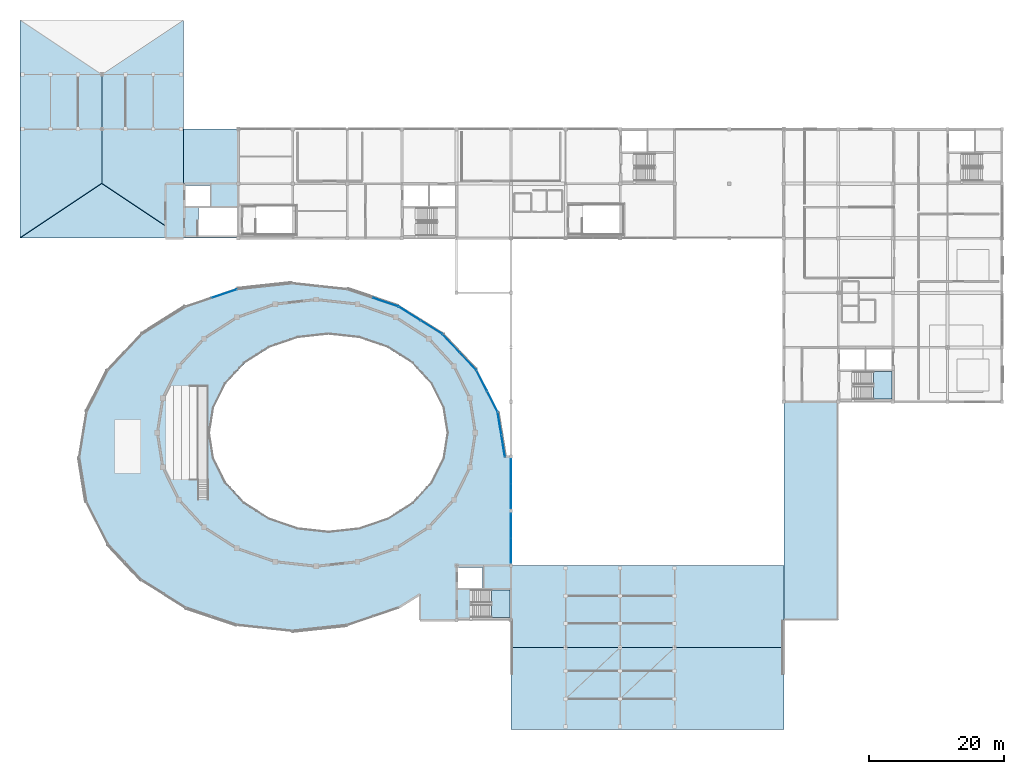
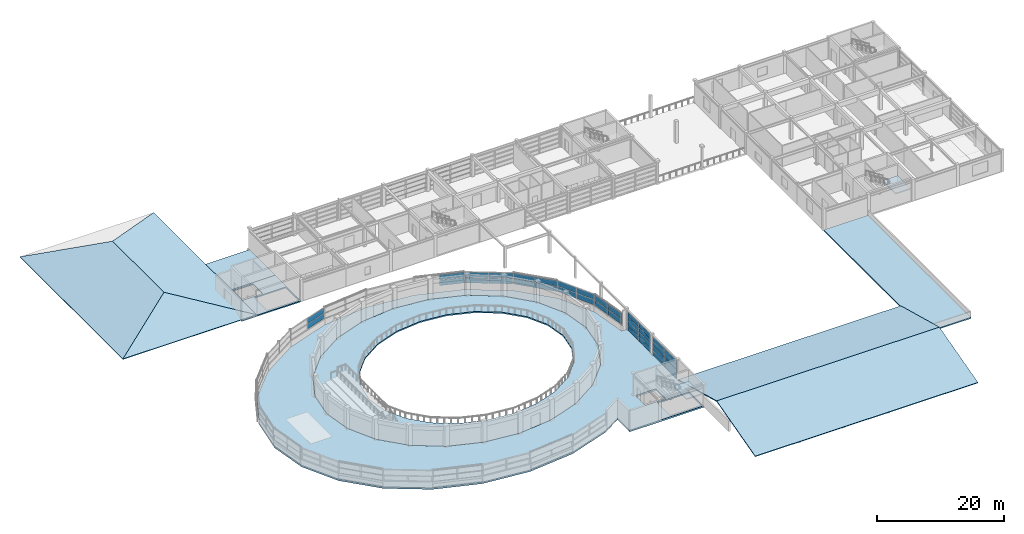
# One storey, part 36 of 54: 36 plates, 12 slabs, 10 elements without a shape of their own.
"""IFC4 building model written with IfcOpenShell, lengths in metres."""

from ifc_helpers import new_model, si_unit, direction, frame, origin, origin_2d, place, context, subcontext, project, spatial, polyline, rectangle, outline, extrude, material, layer, layer_set, type_object, element, aggregate, save


model = new_model("IFC4")

# Units and contexts
model_context = context("Model", 3, precision=1e-05, world=origin(), true_north=direction((0.0, 1.0)))
body_context = subcontext(model_context, "Body", "Model", "MODEL_VIEW")
ifc_project = project(units=[si_unit("LENGTHUNIT", "METRE"), si_unit("AREAUNIT", "SQUARE_METRE"), si_unit("VOLUMEUNIT", "CUBIC_METRE"), si_unit("PLANEANGLEUNIT", "RADIAN"), si_unit("MASSUNIT", "GRAM", prefix="KILO")], contexts=[model_context])

# Site, building, storey
site_placement = place(None, origin())
site = spatial("IfcSite", under=ifc_project, at=site_placement, CompositionType="ELEMENT")
building_placement = place(site_placement, origin())
building = spatial("IfcBuilding", under=site, at=building_placement, Name="Parian Resonance Hall", CompositionType="ELEMENT")
storey_placement = place(building_placement, frame((0.0, 0.0, 15.0)))
storey = spatial("IfcBuildingStorey", under=building, at=storey_placement, Name="L03", CompositionType="ELEMENT", Elevation=15.0)

# Curtain wall, plates
ifc_material_1 = material(Name="Bronze-anodised aluminium frame", Category="aluminium")
curtain_wall_type_1 = type_object("IfcCurtainWallType", Name="CW-SYS-04", PredefinedType="NOTDEFINED", material=ifc_material_1)
curtain_wall_1_placement = place(storey_placement, origin())
curtain_wall_1 = element("IfcCurtainWall", 1, at=curtain_wall_1_placement, inside=storey, type_object=curtain_wall_type_1, Name="Elliptical R3 recessed strip curtain wall 02", PredefinedType="NOTDEFINED")
ifc_material_2 = material(Name="Acoustic laminated double glazing", Category="glass")
ifc_layer_1 = layer(ifc_material_2, 0.02197265625)
ifc_layer_set_1 = layer_set([ifc_layer_1], Name="Acoustic laminated double glazing")
plate_type_1 = type_object("IfcPlateType", Name="CWP-IGU22", PredefinedType="CURTAIN_PANEL", material=ifc_layer_set_1)
plate_1_placement = place(storey_placement, frame((68.564208984375, 51.7275390625, 1.266845703125), z_axis=(0.0, 0.0, 1.0), x_axis=(0.452439903839, -0.891794894252, 0.0)))
plate_1 = element("IfcPlate", 2, at=plate_1_placement, type_object=plate_type_1, Name="CW-04 panel 1.1", PredefinedType="CURTAIN_PANEL", context=body_context, shape_type="SweptSolid", body=[
    extrude(rectangle(XDim=3.376220703125, YDim=0.02197265625, at=origin_2d()), origin(), (0.0, 0.0, 1.0), 0.99560546875),
])
plate_2_placement = place(storey_placement, frame((68.564208984375, 51.7275390625, 2.33740234375), z_axis=(0.0, 0.0, 1.0), x_axis=(0.452439903839, -0.891794894252, 0.0)))
plate_2 = element("IfcPlate", 3, at=plate_2_placement, type_object=plate_type_1, Name="CW-04 panel 1.2", PredefinedType="CURTAIN_PANEL", context=body_context, shape_type="SweptSolid", body=[
    extrude(rectangle(XDim=3.376220703125, YDim=0.02197265625, at=origin_2d()), origin(), (0.0, 0.0, 1.0), 0.99755859375),
])
plate_3_placement = place(storey_placement, frame((70.12548828125, 48.64990234375, 1.266845703125), z_axis=(0.0, 0.0, 1.0), x_axis=(0.452439903839, -0.891794894252, 0.0)))
plate_3 = element("IfcPlate", 4, at=plate_3_placement, type_object=plate_type_1, Name="CW-04 panel 2.1", PredefinedType="CURTAIN_PANEL", context=body_context, shape_type="SweptSolid", body=[
    extrude(rectangle(XDim=3.376220703125, YDim=0.02197265625, at=origin_2d()), origin(), (0.0, 0.0, 1.0), 0.99560546875),
])
plate_4_placement = place(storey_placement, frame((70.12548828125, 48.64990234375, 2.33740234375), z_axis=(0.0, 0.0, 1.0), x_axis=(0.452439903839, -0.891794894252, 0.0)))
plate_4 = element("IfcPlate", 5, at=plate_4_placement, type_object=plate_type_1, Name="CW-04 panel 2.2", PredefinedType="CURTAIN_PANEL", context=body_context, shape_type="SweptSolid", body=[
    extrude(rectangle(XDim=3.376220703125, YDim=0.02197265625, at=origin_2d()), origin(), (0.0, 0.0, 1.0), 0.99755859375),
])
aggregate(curtain_wall_1, [plate_1, plate_2, plate_3, plate_4])

ifc_material_3 = material(Name="Bronze-anodised aluminium frame", Category="aluminium")
curtain_wall_type_2 = type_object("IfcCurtainWallType", Name="CW-SYS-01", PredefinedType="NOTDEFINED", material=ifc_material_3)
curtain_wall_2_placement = place(storey_placement, origin())
curtain_wall_2 = element("IfcCurtainWall", 6, at=curtain_wall_2_placement, inside=storey, type_object=curtain_wall_type_2, Name="Elliptical R3 recessed strip curtain wall 05", PredefinedType="NOTDEFINED")
plate_5_placement = place(storey_placement, frame((54.279296875, 63.39306640625, 1.2568359375), z_axis=(0.0, 0.0, 1.0), x_axis=(0.947295844239, -0.320360084104, 0.0)))
plate_5 = element("IfcPlate", 7, at=plate_5_placement, type_object=plate_type_1, Name="CW-01 panel 2.1", PredefinedType="CURTAIN_PANEL", context=body_context, shape_type="SweptSolid", body=[
    extrude(rectangle(XDim=3.925048828125, YDim=0.02197265625, at=origin_2d()), origin(), (0.0, 0.0, 1.0), 1.010498046875),
])
plate_6_placement = place(storey_placement, frame((54.279296875, 63.39306640625, 2.33251953125), z_axis=(0.0, 0.0, 1.0), x_axis=(0.947295844239, -0.320360084104, 0.0)))
plate_6 = element("IfcPlate", 8, at=plate_6_placement, type_object=plate_type_1, Name="CW-01 panel 2.2", PredefinedType="CURTAIN_PANEL", context=body_context, shape_type="SweptSolid", body=[
    extrude(rectangle(XDim=3.925048828125, YDim=0.02197265625, at=origin_2d()), origin(), (0.0, 0.0, 1.0), 1.012451171875),
])
aggregate(curtain_wall_2, [plate_5, plate_6])

curtain_wall_3_placement = place(storey_placement, origin())
curtain_wall_3 = element("IfcCurtainWall", 9, at=curtain_wall_3_placement, inside=storey, type_object=curtain_wall_type_1, Name="Elliptical R3 recessed strip curtain wall 08", PredefinedType="NOTDEFINED")
plate_7_placement = place(storey_placement, frame((30.298095703125, 64.670654296875, 1.266845703125), z_axis=(0.0, 0.0, 1.0), x_axis=(0.947295844239, 0.320360084104, 0.0)))
plate_7 = element("IfcPlate", 10, at=plate_7_placement, type_object=plate_type_1, Name="CW-04 panel 2.1", PredefinedType="CURTAIN_PANEL", context=body_context, shape_type="SweptSolid", body=[
    extrude(rectangle(XDim=3.91015625, YDim=0.02197265625, at=origin_2d()), origin(), (0.0, 0.0, 1.0), 0.99560546875),
])
plate_8_placement = place(storey_placement, frame((30.298095703125, 64.670654296875, 2.33740234375), z_axis=(0.0, 0.0, 1.0), x_axis=(0.947295844239, 0.320360084104, 0.0)))
plate_8 = element("IfcPlate", 11, at=plate_8_placement, type_object=plate_type_1, Name="CW-04 panel 2.2", PredefinedType="CURTAIN_PANEL", context=body_context, shape_type="SweptSolid", body=[
    extrude(rectangle(XDim=3.91015625, YDim=0.02197265625, at=origin_2d()), origin(), (0.0, 0.0, 1.0), 0.99755859375),
])
aggregate(curtain_wall_3, [plate_7, plate_8])

ifc_material_4 = material(Name="Bronze-anodised aluminium frame", Category="aluminium")
curtain_wall_type_3 = type_object("IfcCurtainWallType", Name="CW-SYS-05", PredefinedType="NOTDEFINED", material=ifc_material_4)
curtain_wall_4_placement = place(storey_placement, origin())
curtain_wall_4 = element("IfcCurtainWall", 12, at=curtain_wall_4_placement, inside=storey, type_object=curtain_wall_type_3, Name="Elliptical R3 recessed strip curtain wall 03", PredefinedType="NOTDEFINED")
ifc_material_5 = material(Name="Acoustic laminated double glazing", Category="glass")
ifc_layer_2 = layer(ifc_material_5, 0.031982421875)
ifc_layer_set_2 = layer_set([ifc_layer_2], Name="Acoustic laminated double glazing")
plate_type_2 = type_object("IfcPlateType", Name="CWP-IGU32", PredefinedType="CURTAIN_PANEL", material=ifc_layer_set_2)
plate_9_placement = place(storey_placement, frame((64.01123046875, 57.295654296875, 1.2568359375), z_axis=(0.0, 0.0, 1.0), x_axis=(0.684837894829, -0.728695449283, 0.0)))
plate_9 = element("IfcPlate", 13, at=plate_9_placement, type_object=plate_type_2, Name="CW-05 panel 1.1", PredefinedType="CURTAIN_PANEL", context=body_context, shape_type="SweptSolid", body=[
    extrude(rectangle(XDim=3.56884765625, YDim=0.031982421875, at=origin_2d()), origin(), (0.0, 0.0, 1.0), 1.010498046875),
])
plate_10_placement = place(storey_placement, frame((64.01123046875, 57.295654296875, 2.33251953125), z_axis=(0.0, 0.0, 1.0), x_axis=(0.684837894829, -0.728695449283, 0.0)))
plate_10 = element("IfcPlate", 14, at=plate_10_placement, type_object=plate_type_2, Name="CW-05 panel 1.2", PredefinedType="CURTAIN_PANEL", context=body_context, shape_type="SweptSolid", body=[
    extrude(rectangle(XDim=3.56884765625, YDim=0.031982421875, at=origin_2d()), origin(), (0.0, 0.0, 1.0), 1.012451171875),
])
plate_11_placement = place(storey_placement, frame((66.499755859375, 54.647705078125, 1.2568359375), z_axis=(0.0, 0.0, 1.0), x_axis=(0.684837894829, -0.728695449283, 0.0)))
plate_11 = element("IfcPlate", 15, at=plate_11_placement, type_object=plate_type_2, Name="CW-05 panel 2.1", PredefinedType="CURTAIN_PANEL", context=body_context, shape_type="SweptSolid", body=[
    extrude(rectangle(XDim=3.56884765625, YDim=0.031982421875, at=origin_2d()), origin(), (0.0, 0.0, 1.0), 1.010498046875),
])
plate_12_placement = place(storey_placement, frame((66.499755859375, 54.647705078125, 2.33251953125), z_axis=(0.0, 0.0, 1.0), x_axis=(0.684837894829, -0.728695449283, 0.0)))
plate_12 = element("IfcPlate", 16, at=plate_12_placement, type_object=plate_type_2, Name="CW-05 panel 2.2", PredefinedType="CURTAIN_PANEL", context=body_context, shape_type="SweptSolid", body=[
    extrude(rectangle(XDim=3.56884765625, YDim=0.031982421875, at=origin_2d()), origin(), (0.0, 0.0, 1.0), 1.012451171875),
])
aggregate(curtain_wall_4, [plate_9, plate_10, plate_11, plate_12])

curtain_wall_5_placement = place(storey_placement, origin())
curtain_wall_5 = element("IfcCurtainWall", 17, at=curtain_wall_5_placement, inside=storey, type_object=curtain_wall_type_1, Name="Curtain wall CW-L03-133", PredefinedType="NOTDEFINED")
plate_13_placement = place(storey_placement, frame((72.89990234375, 30.19384765625, 0.05712890625), z_axis=(0.0, 0.0, 1.0), x_axis=(0.0, -1.0, 0.0)))
plate_13 = element("IfcPlate", 18, at=plate_13_placement, type_object=plate_type_2, Name="CW-04 panel 1.1", PredefinedType="CURTAIN_PANEL", context=body_context, shape_type="SweptSolid", body=[
    extrude(rectangle(XDim=3.62255859375, YDim=0.031982421875, at=origin_2d()), origin(), (0.0, 0.0, 1.0), 0.814697265625),
])
plate_14_placement = place(storey_placement, frame((72.89990234375, 30.19384765625, 0.93701171875), z_axis=(0.0, 0.0, 1.0), x_axis=(0.0, -1.0, 0.0)))
plate_14 = element("IfcPlate", 19, at=plate_14_placement, type_object=plate_type_2, Name="CW-04 panel 1.2", PredefinedType="CURTAIN_PANEL", context=body_context, shape_type="SweptSolid", body=[
    extrude(rectangle(XDim=3.62255859375, YDim=0.031982421875, at=origin_2d()), origin(), (0.0, 0.0, 1.0), 0.839111328125),
])
plate_15_placement = place(storey_placement, frame((72.89990234375, 30.19384765625, 1.8408203125), z_axis=(0.0, 0.0, 1.0), x_axis=(0.0, -1.0, 0.0)))
plate_15 = element("IfcPlate", 20, at=plate_15_placement, type_object=plate_type_2, Name="CW-04 panel 1.3", PredefinedType="CURTAIN_PANEL", context=body_context, shape_type="SweptSolid", body=[
    extrude(rectangle(XDim=3.62255859375, YDim=0.031982421875, at=origin_2d()), origin(), (0.0, 0.0, 1.0), 0.839111328125),
])
plate_16_placement = place(storey_placement, frame((72.89990234375, 30.19384765625, 2.7451171875), z_axis=(0.0, 0.0, 1.0), x_axis=(0.0, -1.0, 0.0)))
plate_16 = element("IfcPlate", 21, at=plate_16_placement, type_object=plate_type_2, Name="CW-04 panel 1.4", PredefinedType="CURTAIN_PANEL", context=body_context, shape_type="SweptSolid", body=[
    extrude(rectangle(XDim=3.62255859375, YDim=0.031982421875, at=origin_2d()), origin(), (0.0, 0.0, 1.0), 0.81689453125),
])
plate_17_placement = place(storey_placement, frame((72.89990234375, 26.50634765625, 0.05712890625), z_axis=(0.0, 0.0, 1.0), x_axis=(0.0, -1.0, 0.0)))
plate_17 = element("IfcPlate", 22, at=plate_17_placement, type_object=plate_type_2, Name="CW-04 panel 2.1", PredefinedType="CURTAIN_PANEL", context=body_context, shape_type="SweptSolid", body=[
    extrude(rectangle(XDim=3.62255859375, YDim=0.031982421875, at=origin_2d()), origin(), (0.0, 0.0, 1.0), 0.814697265625),
])
plate_18_placement = place(storey_placement, frame((72.89990234375, 26.50634765625, 0.93701171875), z_axis=(0.0, 0.0, 1.0), x_axis=(0.0, -1.0, 0.0)))
plate_18 = element("IfcPlate", 23, at=plate_18_placement, type_object=plate_type_2, Name="CW-04 panel 2.2", PredefinedType="CURTAIN_PANEL", context=body_context, shape_type="SweptSolid", body=[
    extrude(rectangle(XDim=3.62255859375, YDim=0.031982421875, at=origin_2d()), origin(), (0.0, 0.0, 1.0), 0.839111328125),
])
plate_19_placement = place(storey_placement, frame((72.89990234375, 26.50634765625, 1.8408203125), z_axis=(0.0, 0.0, 1.0), x_axis=(0.0, -1.0, 0.0)))
plate_19 = element("IfcPlate", 24, at=plate_19_placement, type_object=plate_type_2, Name="CW-04 panel 2.3", PredefinedType="CURTAIN_PANEL", context=body_context, shape_type="SweptSolid", body=[
    extrude(rectangle(XDim=3.62255859375, YDim=0.031982421875, at=origin_2d()), origin(), (0.0, 0.0, 1.0), 0.839111328125),
])
plate_20_placement = place(storey_placement, frame((72.89990234375, 26.50634765625, 2.7451171875), z_axis=(0.0, 0.0, 1.0), x_axis=(0.0, -1.0, 0.0)))
plate_20 = element("IfcPlate", 25, at=plate_20_placement, type_object=plate_type_2, Name="CW-04 panel 2.4", PredefinedType="CURTAIN_PANEL", context=body_context, shape_type="SweptSolid", body=[
    extrude(rectangle(XDim=3.62255859375, YDim=0.031982421875, at=origin_2d()), origin(), (0.0, 0.0, 1.0), 0.81689453125),
])
aggregate(curtain_wall_5, [plate_13, plate_14, plate_15, plate_16, plate_17, plate_18, plate_19, plate_20])

ifc_material_6 = material(Name="Bronze-anodised aluminium frame", Category="aluminium")
curtain_wall_type_4 = type_object("IfcCurtainWallType", Name="CW-SYS-03", PredefinedType="NOTDEFINED", material=ifc_material_6)
curtain_wall_6_placement = place(storey_placement, origin())
curtain_wall_6 = element("IfcCurtainWall", 26, at=curtain_wall_6_placement, inside=storey, type_object=curtain_wall_type_4, Name="Elliptical R3 recessed strip curtain wall 01", PredefinedType="NOTDEFINED")
ifc_material_7 = material(Name="Acoustic laminated double glazing", Category="glass")
ifc_layer_3 = layer(ifc_material_7, 0.0419921875)
ifc_layer_set_3 = layer_set([ifc_layer_3], Name="Acoustic laminated double glazing")
plate_type_3 = type_object("IfcPlateType", Name="CWP-IGU42", PredefinedType="CURTAIN_PANEL", material=ifc_layer_set_3)
plate_21_placement = place(storey_placement, frame((71.195068359375, 45.39208984375, 1.2568359375), z_axis=(0.0, 0.0, 1.0), x_axis=(0.159186884981, -0.987248467028, 0.0)))
plate_21 = element("IfcPlate", 27, at=plate_21_placement, type_object=plate_type_3, Name="CW-03 panel 1.1", PredefinedType="CURTAIN_PANEL", context=body_context, shape_type="SweptSolid", body=[
    extrude(rectangle(XDim=3.284423828125, YDim=0.0419921875, at=origin_2d()), origin(), (0.0, 0.0, 1.0), 1.010498046875),
])
plate_22_placement = place(storey_placement, frame((71.195068359375, 45.39208984375, 2.33251953125), z_axis=(0.0, 0.0, 1.0), x_axis=(0.159186884981, -0.987248467028, 0.0)))
plate_22 = element("IfcPlate", 28, at=plate_22_placement, type_object=plate_type_3, Name="CW-03 panel 1.2", PredefinedType="CURTAIN_PANEL", context=body_context, shape_type="SweptSolid", body=[
    extrude(rectangle(XDim=3.284423828125, YDim=0.0419921875, at=origin_2d()), origin(), (0.0, 0.0, 1.0), 1.012451171875),
])
plate_23_placement = place(storey_placement, frame((71.728271484375, 42.08544921875, 1.2568359375), z_axis=(0.0, 0.0, 1.0), x_axis=(0.159186884981, -0.987248467028, 0.0)))
plate_23 = element("IfcPlate", 29, at=plate_23_placement, type_object=plate_type_3, Name="CW-03 panel 2.1", PredefinedType="CURTAIN_PANEL", context=body_context, shape_type="SweptSolid", body=[
    extrude(rectangle(XDim=3.284423828125, YDim=0.0419921875, at=origin_2d()), origin(), (0.0, 0.0, 1.0), 1.010498046875),
])
plate_24_placement = place(storey_placement, frame((71.728271484375, 42.08544921875, 2.33251953125), z_axis=(0.0, 0.0, 1.0), x_axis=(0.159186884981, -0.987248467028, 0.0)))
plate_24 = element("IfcPlate", 30, at=plate_24_placement, type_object=plate_type_3, Name="CW-03 panel 2.2", PredefinedType="CURTAIN_PANEL", context=body_context, shape_type="SweptSolid", body=[
    extrude(rectangle(XDim=3.284423828125, YDim=0.0419921875, at=origin_2d()), origin(), (0.0, 0.0, 1.0), 1.012451171875),
])
aggregate(curtain_wall_6, [plate_21, plate_22, plate_23, plate_24])

ifc_material_8 = material(Name="Bronze-anodised aluminium frame", Category="aluminium")
curtain_wall_type_5 = type_object("IfcCurtainWallType", Name="CW-SYS-06", PredefinedType="NOTDEFINED", material=ifc_material_8)
curtain_wall_7_placement = place(storey_placement, origin())
curtain_wall_7 = element("IfcCurtainWall", 31, at=curtain_wall_7_placement, inside=storey, type_object=curtain_wall_type_5, Name="Elliptical R3 recessed strip curtain wall 04", PredefinedType="NOTDEFINED")
plate_25_placement = place(storey_placement, frame((57.85205078125, 61.70849609375, 1.266845703125), z_axis=(0.0, 0.0, 1.0), x_axis=(0.847431866337, -0.530904164532, 0.0)))
plate_25 = element("IfcPlate", 32, at=plate_25_placement, type_object=plate_type_3, Name="CW-06 panel 1.1", PredefinedType="CURTAIN_PANEL", context=body_context, shape_type="SweptSolid", body=[
    extrude(rectangle(XDim=3.7490234375, YDim=0.0419921875, at=origin_2d()), origin(), (0.0, 0.0, 1.0), 0.99560546875),
])
plate_26_placement = place(storey_placement, frame((57.85205078125, 61.70849609375, 2.33740234375), z_axis=(0.0, 0.0, 1.0), x_axis=(0.847431866337, -0.530904164532, 0.0)))
plate_26 = element("IfcPlate", 33, at=plate_26_placement, type_object=plate_type_3, Name="CW-06 panel 1.2", PredefinedType="CURTAIN_PANEL", context=body_context, shape_type="SweptSolid", body=[
    extrude(rectangle(XDim=3.7490234375, YDim=0.0419921875, at=origin_2d()), origin(), (0.0, 0.0, 1.0), 0.99755859375),
])
plate_27_placement = place(storey_placement, frame((61.092529296875, 59.678466796875, 1.266845703125), z_axis=(0.0, 0.0, 1.0), x_axis=(0.847431866337, -0.530904164532, 0.0)))
plate_27 = element("IfcPlate", 34, at=plate_27_placement, type_object=plate_type_3, Name="CW-06 panel 2.1", PredefinedType="CURTAIN_PANEL", context=body_context, shape_type="SweptSolid", body=[
    extrude(rectangle(XDim=3.7490234375, YDim=0.0419921875, at=origin_2d()), origin(), (0.0, 0.0, 1.0), 0.99560546875),
])
plate_28_placement = place(storey_placement, frame((61.092529296875, 59.678466796875, 2.33740234375), z_axis=(0.0, 0.0, 1.0), x_axis=(0.847431866337, -0.530904164532, 0.0)))
plate_28 = element("IfcPlate", 35, at=plate_28_placement, type_object=plate_type_3, Name="CW-06 panel 2.2", PredefinedType="CURTAIN_PANEL", context=body_context, shape_type="SweptSolid", body=[
    extrude(rectangle(XDim=3.7490234375, YDim=0.0419921875, at=origin_2d()), origin(), (0.0, 0.0, 1.0), 0.99755859375),
])
aggregate(curtain_wall_7, [plate_25, plate_26, plate_27, plate_28])

curtain_wall_8_placement = place(storey_placement, origin())
curtain_wall_8 = element("IfcCurtainWall", 36, at=curtain_wall_8_placement, inside=storey, type_object=curtain_wall_type_3, Name="Curtain wall CW-L03-137", PredefinedType="NOTDEFINED")
plate_29_placement = place(storey_placement, frame((72.89990234375, 38.293701171875, 0.05712890625), z_axis=(0.0, 0.0, 1.0), x_axis=(0.0, -1.0, 0.0)))
plate_29 = element("IfcPlate", 37, at=plate_29_placement, type_object=plate_type_3, Name="CW-05 panel 1.1", PredefinedType="CURTAIN_PANEL", context=body_context, shape_type="SweptSolid", body=[
    extrude(rectangle(XDim=3.62255859375, YDim=0.0419921875, at=origin_2d()), origin(), (0.0, 0.0, 1.0), 0.814697265625),
])
plate_30_placement = place(storey_placement, frame((72.89990234375, 38.293701171875, 0.93701171875), z_axis=(0.0, 0.0, 1.0), x_axis=(0.0, -1.0, 0.0)))
plate_30 = element("IfcPlate", 38, at=plate_30_placement, type_object=plate_type_3, Name="CW-05 panel 1.2", PredefinedType="CURTAIN_PANEL", context=body_context, shape_type="SweptSolid", body=[
    extrude(rectangle(XDim=3.62255859375, YDim=0.0419921875, at=origin_2d()), origin(), (0.0, 0.0, 1.0), 0.839111328125),
])
plate_31_placement = place(storey_placement, frame((72.89990234375, 38.293701171875, 1.8408203125), z_axis=(0.0, 0.0, 1.0), x_axis=(0.0, -1.0, 0.0)))
plate_31 = element("IfcPlate", 39, at=plate_31_placement, type_object=plate_type_3, Name="CW-05 panel 1.3", PredefinedType="CURTAIN_PANEL", context=body_context, shape_type="SweptSolid", body=[
    extrude(rectangle(XDim=3.62255859375, YDim=0.0419921875, at=origin_2d()), origin(), (0.0, 0.0, 1.0), 0.839111328125),
])
plate_32_placement = place(storey_placement, frame((72.89990234375, 38.293701171875, 2.7451171875), z_axis=(0.0, 0.0, 1.0), x_axis=(0.0, -1.0, 0.0)))
plate_32 = element("IfcPlate", 40, at=plate_32_placement, type_object=plate_type_3, Name="CW-05 panel 1.4", PredefinedType="CURTAIN_PANEL", context=body_context, shape_type="SweptSolid", body=[
    extrude(rectangle(XDim=3.62255859375, YDim=0.0419921875, at=origin_2d()), origin(), (0.0, 0.0, 1.0), 0.81689453125),
])
plate_33_placement = place(storey_placement, frame((72.89990234375, 34.606201171875, 0.05712890625), z_axis=(0.0, 0.0, 1.0), x_axis=(0.0, -1.0, 0.0)))
plate_33 = element("IfcPlate", 41, at=plate_33_placement, type_object=plate_type_3, Name="CW-05 panel 2.1", PredefinedType="CURTAIN_PANEL", context=body_context, shape_type="SweptSolid", body=[
    extrude(rectangle(XDim=3.62255859375, YDim=0.0419921875, at=origin_2d()), origin(), (0.0, 0.0, 1.0), 0.814697265625),
])
plate_34_placement = place(storey_placement, frame((72.89990234375, 34.606201171875, 0.93701171875), z_axis=(0.0, 0.0, 1.0), x_axis=(0.0, -1.0, 0.0)))
plate_34 = element("IfcPlate", 42, at=plate_34_placement, type_object=plate_type_3, Name="CW-05 panel 2.2", PredefinedType="CURTAIN_PANEL", context=body_context, shape_type="SweptSolid", body=[
    extrude(rectangle(XDim=3.62255859375, YDim=0.0419921875, at=origin_2d()), origin(), (0.0, 0.0, 1.0), 0.839111328125),
])
plate_35_placement = place(storey_placement, frame((72.89990234375, 34.606201171875, 1.8408203125), z_axis=(0.0, 0.0, 1.0), x_axis=(0.0, -1.0, 0.0)))
plate_35 = element("IfcPlate", 43, at=plate_35_placement, type_object=plate_type_3, Name="CW-05 panel 2.3", PredefinedType="CURTAIN_PANEL", context=body_context, shape_type="SweptSolid", body=[
    extrude(rectangle(XDim=3.62255859375, YDim=0.0419921875, at=origin_2d()), origin(), (0.0, 0.0, 1.0), 0.839111328125),
])
plate_36_placement = place(storey_placement, frame((72.89990234375, 34.606201171875, 2.7451171875), z_axis=(0.0, 0.0, 1.0), x_axis=(0.0, -1.0, 0.0)))
plate_36 = element("IfcPlate", 44, at=plate_36_placement, type_object=plate_type_3, Name="CW-05 panel 2.4", PredefinedType="CURTAIN_PANEL", context=body_context, shape_type="SweptSolid", body=[
    extrude(rectangle(XDim=3.62255859375, YDim=0.0419921875, at=origin_2d()), origin(), (0.0, 0.0, 1.0), 0.81689453125),
])
aggregate(curtain_wall_8, [plate_29, plate_30, plate_31, plate_32, plate_33, plate_34, plate_35, plate_36])

# Slabs
ifc_material_9 = material(Name="Concrete C35/45", Category="concrete")
ifc_layer_4 = layer(ifc_material_9, 0.219970703125)
ifc_layer_set_4 = layer_set([ifc_layer_4], Name="Concrete C35/45")
slab_type_1 = type_object("IfcSlabType", Name="SLB-FLR-220", PredefinedType="FLOOR", material=ifc_layer_set_4)
slab_1_placement = place(storey_placement, frame((0.0, 0.0, -0.219970703125)))
element("IfcSlab", 45, at=slab_1_placement, inside=storey, type_object=slab_type_1, Name="Core K4 L03 head-house landing slab", PredefinedType="FLOOR", context=body_context, shape_type="SweptSolid", body=[
    extrude(outline(polyline([(21.60009765625, 72.89990234375), (32.39990234375, 72.89990234375), (32.39990234375, 81.0), (21.60009765625, 81.0), (21.60009765625, 72.89990234375)]), holes=[polyline([(26.47509765625, 77.360107421875), (32.219970703125, 77.360107421875), (32.219970703125, 73.300048828125), (26.47509765625, 73.300048828125), (26.47509765625, 77.360107421875)]), polyline([(24.5400390625, 80.699951171875), (28.199951171875, 80.699951171875), (28.199951171875, 77.64990234375), (24.5400390625, 77.64990234375), (24.5400390625, 80.699951171875)])]), origin(), (0.0, 0.0, 1.0), 0.219970703125),
])
ifc_material_10 = material(Name="Concrete C35/45", Category="concrete")
ifc_layer_5 = layer(ifc_material_10, 0.239990234375)
ifc_layer_set_5 = layer_set([ifc_layer_5], Name="Concrete C35/45")
slab_type_2 = type_object("IfcSlabType", Name="SLB-FLR-240", PredefinedType="FLOOR", material=ifc_layer_set_5)
slab_2_placement = place(storey_placement, frame((0.0, 0.0, -0.239990234375)))
element("IfcSlab", 46, at=slab_2_placement, inside=storey, type_object=slab_type_2, Name="Main Concert Hall dress circle slab", PredefinedType="FLOOR", context=body_context, shape_type="SweptSolid", body=[
    extrude(outline(polyline([(67.60009765625, 44.0), (66.7958984375, 49.12451171875), (64.438232421875, 53.89990234375), (60.687744140625, 58.000732421875), (55.800048828125, 61.147216796875), (50.108154296875, 63.125244140625), (44.0, 63.800048828125), (37.891845703125, 63.125244140625), (32.199951171875, 61.147216796875), (27.312255859375, 58.000732421875), (23.561767578125, 53.89990234375), (21.2041015625, 49.12451171875), (20.39990234375, 44.0), (21.2041015625, 38.87548828125), (23.561767578125, 34.10009765625), (27.312255859375, 29.999267578125), (32.199951171875, 26.852783203125), (37.891845703125, 24.874755859375), (44.0, 24.199951171875), (50.108154296875, 24.874755859375), (55.800048828125, 26.852783203125), (60.687744140625, 29.999267578125), (64.438232421875, 34.10009765625), (66.7958984375, 38.87548828125), (67.60009765625, 44.0)]), holes=[polyline([(63.39990234375, 44.0), (62.80029296875, 40.22119140625), (61.0419921875, 36.699951171875), (58.2451171875, 33.67626953125), (54.60009765625, 31.35595703125), (50.355224609375, 29.8974609375), (45.800048828125, 29.39990234375), (41.244873046875, 29.8974609375), (37.0, 31.35595703125), (33.35498046875, 33.67626953125), (30.55810546875, 36.699951171875), (28.7998046875, 40.22119140625), (28.199951171875, 44.0), (28.7998046875, 47.77880859375), (30.55810546875, 51.300048828125), (33.35498046875, 54.32373046875), (37.0, 56.64404296875), (41.244873046875, 58.1025390625), (45.800048828125, 58.60009765625), (50.355224609375, 58.1025390625), (54.60009765625, 56.64404296875), (58.2451171875, 54.32373046875), (61.0419921875, 51.300048828125), (62.80029296875, 47.77880859375), (63.39990234375, 44.0)])]), origin(), (0.0, 0.0, 1.0), 0.239990234375),
])
ifc_material_11 = material(Name="Concrete C35/45", Category="concrete")
ifc_layer_6 = layer(ifc_material_11, 0.300048828125)
ifc_layer_set_6 = layer_set([ifc_layer_6], Name="Concrete C35/45")
slab_type_3 = type_object("IfcSlabType", Name="SLB-FLR-300", PredefinedType="FLOOR", material=ifc_layer_set_6)
slab_3_placement = place(storey_placement, frame((0.0, 0.0, -0.300048828125)))
element("IfcSlab", 47, at=slab_3_placement, inside=storey, type_object=slab_type_3, Name="Elliptical Ring 3 cantilevered foyer slab", PredefinedType="FLOOR", context=body_context, shape_type="SweptSolid", body=[
    extrude(outline(polyline([(72.89990234375, 16.199951171875), (72.89990234375, 40.5), (71.98388671875, 40.5), (70.92333984375, 47.077392578125), (67.766357421875, 53.300048828125), (62.74462890625, 58.643310546875), (56.199951171875, 62.743408203125), (48.57861328125, 65.32080078125), (40.39990234375, 66.199951171875), (32.22119140625, 65.32080078125), (24.60009765625, 62.743408203125), (18.055419921875, 58.643310546875), (13.03369140625, 53.300048828125), (9.876708984375, 47.077392578125), (8.800048828125, 40.39990234375), (9.876708984375, 33.722412109375), (13.03369140625, 27.5), (18.055419921875, 22.156494140625), (24.60009765625, 18.056396484375), (32.22119140625, 15.47900390625), (40.39990234375, 14.60009765625), (48.57861328125, 15.47900390625), (56.199951171875, 18.056396484375), (59.39990234375, 20.061279296875), (59.39990234375, 16.199951171875), (72.89990234375, 16.199951171875)]), holes=[polyline([(66.7958984375, 49.12451171875), (67.60009765625, 44.0), (66.7958984375, 38.87548828125), (64.438232421875, 34.10009765625), (60.687744140625, 29.999267578125), (55.800048828125, 26.852783203125), (50.108154296875, 24.874755859375), (44.0, 24.199951171875), (37.891845703125, 24.874755859375), (32.199951171875, 26.852783203125), (27.312255859375, 29.999267578125), (23.561767578125, 34.10009765625), (21.2041015625, 38.87548828125), (20.39990234375, 44.0), (21.2041015625, 49.12451171875), (23.561767578125, 53.89990234375), (27.312255859375, 58.000732421875), (32.199951171875, 61.147216796875), (37.891845703125, 63.125244140625), (44.0, 63.800048828125), (50.108154296875, 63.125244140625), (55.800048828125, 61.147216796875), (60.687744140625, 58.000732421875), (64.438232421875, 53.89990234375), (66.7958984375, 49.12451171875)]), polyline([(66.9951171875, 20.699951171875), (72.760009765625, 20.699951171875), (72.760009765625, 16.60009765625), (66.9951171875, 16.60009765625), (66.9951171875, 20.699951171875)]), polyline([(65.0400390625, 24.0), (68.699951171875, 24.0), (68.699951171875, 20.949951171875), (65.0400390625, 20.949951171875), (65.0400390625, 24.0)])]), origin(), (0.0, 0.0, 1.0), 0.300048828125),
])

# Stair, slab
ifc_material_12 = material(Name="Concrete C40/50", Category="concrete")
stair_type = type_object("IfcStairType", Name="STAIR-CORE-1850", PredefinedType="HALF_TURN_STAIR", material=ifc_material_12)
stair_1_placement = place(storey_placement, origin())
stair_1 = element("IfcStair", 48, at=stair_1_placement, inside=storey, type_object=stair_type, Name="L03 ST-02", PredefinedType="HALF_TURN_STAIR")
ifc_material_13 = material(Name="Concrete C40/50", Category="concrete")
ifc_layer_7 = layer(ifc_material_13, 0.199951171875)
ifc_layer_set_7 = layer_set([ifc_layer_7], Name="Concrete C40/50")
slab_type_4 = type_object("IfcSlabType", Name="SLB-LANDING-200", PredefinedType="LANDING", material=ifc_layer_set_7)
slab_4_placement = place(storey_placement, frame((0.0, 0.0, 1.89990234375)))
slab_4 = element("IfcSlab", 49, at=slab_4_placement, type_object=slab_type_4, Name="ST-02 landing 1", PredefinedType="LANDING", context=body_context, shape_type="SweptSolid", body=[
    extrude(outline(polyline([(126.719970703125, 49.0), (129.4599609375, 49.0), (129.4599609375, 53.10009765625), (126.719970703125, 53.10009765625), (126.719970703125, 49.0)])), origin(), (0.0, 0.0, 1.0), 0.2001953125),
])
aggregate(stair_1, [slab_4])

stair_2_placement = place(storey_placement, origin())
stair_2 = element("IfcStair", 50, at=stair_2_placement, inside=storey, type_object=stair_type, Name="L03 ST-03", PredefinedType="HALF_TURN_STAIR")
slab_5_placement = place(storey_placement, frame((0.0, 0.0, 1.89990234375)))
slab_5 = element("IfcSlab", 51, at=slab_5_placement, type_object=slab_type_4, Name="ST-03 landing 1", PredefinedType="LANDING", context=body_context, shape_type="SweptSolid", body=[
    extrude(outline(polyline([(70.02001953125, 16.60009765625), (72.760009765625, 16.60009765625), (72.760009765625, 20.699951171875), (70.02001953125, 20.699951171875), (70.02001953125, 16.60009765625)])), origin(), (0.0, 0.0, 1.0), 0.2001953125),
])
aggregate(stair_2, [slab_5])

# Slabs
ifc_material_14 = material(Name="Concrete C35/45", Category="concrete")
ifc_layer_8 = layer(ifc_material_14, 0.169921875)
ifc_layer_set_8 = layer_set([ifc_layer_8], Name="Concrete C35/45")
slab_type_5 = type_object("IfcSlabType", Name="SLB-ROOF-170", PredefinedType="ROOF", material=ifc_layer_set_8)
slab_6_placement = place(storey_placement, frame((72.89990234375, 0.0, 0.139892578125), z_axis=(0.0, -0.259149319853, 0.965837268912), x_axis=(1.0, 0.0, 0.0)))
element("IfcSlab", 52, at=slab_6_placement, inside=storey, type_object=slab_type_5, Name="Orchestra Rehearsal Hall pitched gable roof ROOF-L03-V3-S", PredefinedType="ROOF", context=body_context, shape_type="SweptSolid", body=[
    extrude(outline(polyline([(0.0, 0.0), (40.5, 0.0), (40.5, 12.579657810712982), (0.0, 12.579657810712982), (0.0, 0.0)])), origin(), (0.0, 0.0, -1.0), 0.169921875),
])
slab_7_placement = place(storey_placement, frame((113.39990234375, 24.300048828125, 0.139892578125), z_axis=(0.0, 0.259144462301, 0.965838572257), x_axis=(-1.0, 0.0, 0.0)))
element("IfcSlab", 53, at=slab_7_placement, inside=storey, type_object=slab_type_5, Name="Orchestra Rehearsal Hall pitched gable roof ROOF-L03-V3-N", PredefinedType="ROOF", context=body_context, shape_type="SweptSolid", body=[
    extrude(outline(polyline([(0.0, 0.0), (40.5, 0.0), (40.5, 12.579893610986561), (0.0, 12.579893610986561), (0.0, 0.0)])), origin(), (0.0, 0.0, -1.0), 0.169921875),
])
ifc_material_15 = material(Name="Concrete C35/45", Category="concrete")
ifc_layer_9 = layer(ifc_material_15, 0.2099609375)
ifc_layer_set_9 = layer_set([ifc_layer_9], Name="Concrete C35/45")
slab_type_6 = type_object("IfcSlabType", Name="SLB-ROOF-180", PredefinedType="ROOF", material=ifc_layer_set_9)
slab_8_placement = place(storey_placement, frame((0.0, 0.0, -0.2099609375)))
element("IfcSlab", 54, at=slab_8_placement, inside=storey, type_object=slab_type_6, Name="Chamber pavilion east eave roof slab", PredefinedType="ROOF", context=body_context, shape_type="SweptSolid", body=[
    extrude(outline(polyline([(24.300048828125, 81.0), (32.39990234375, 81.0), (32.39990234375, 89.10009765625), (24.300048828125, 89.10009765625), (24.300048828125, 81.0)])), origin(), (0.0, 0.0, 1.0), 0.2099609375),
])
ifc_material_16 = material(Name="Concrete C35/45", Category="concrete")
ifc_layer_10 = layer(ifc_material_16, 0.18994140625)
ifc_layer_set_10 = layer_set([ifc_layer_10], Name="Concrete C35/45")
slab_type_7 = type_object("IfcSlabType", Name="SLB-ROOF-190", PredefinedType="ROOF", material=ifc_layer_set_10)
slab_9_placement = place(storey_placement, frame((0.0, 72.89990234375, 0.139892578125), z_axis=(-0.288445610602, 0.0, 0.957496281833), x_axis=(0.807078113805, 0.53806288751, 0.243132160153)))
element("IfcSlab", 55, at=slab_9_placement, inside=storey, type_object=slab_type_7, Name="Chamber Music Hall hipped acoustic roof ROOF-L03-V2-W", PredefinedType="ROOF", context=body_context, shape_type="SweptSolid", body=[
    extrude(outline(polyline([(0.0, 0.0), (15.054183896108833, 1.1102230246251565e-16), (23.77077640117228, 13.655014942203682), (17.43331637313654, 27.31023567168703), (0.0, 0.0)])), origin(), (0.0, 0.0, -1.0), 0.18994140625),
])
slab_10_placement = place(storey_placement, frame((24.300048828125, 105.300048828125, 0.139892578125), z_axis=(0.288440296894, 0.0, 0.957497882571), x_axis=(-0.807083767505, -0.538055845003, 0.243128977886)))
element("IfcSlab", 56, at=slab_10_placement, inside=storey, type_object=slab_type_7, Name="Chamber Music Hall hipped acoustic roof ROOF-L03-V2-E", PredefinedType="ROOF", context=body_context, shape_type="SweptSolid", body=[
    extrude(outline(polyline([(0.0, 0.0), (15.054380937354118, -1.1102230246251565e-15), (23.77085935414991, 13.65508776905763), (17.43308819488187, 27.310381326492468), (0.0, 0.0)])), origin(), (0.0, 0.0, -1.0), 0.18994140625),
])
slab_11_placement = place(storey_placement, frame((0.0, 72.89990234375, 0.139892578125), z_axis=(0.0, -0.411778053151, 0.911284168053), x_axis=(1.0, 0.0, 0.0)))
element("IfcSlab", 57, at=slab_11_placement, inside=storey, type_object=slab_type_7, Name="Chamber Music Hall hipped acoustic roof ROOF-L03-V2-S", PredefinedType="ROOF", context=body_context, shape_type="SweptSolid", body=[
    extrude(outline(polyline([(0.0, 0.0), (24.300048828125, 0.0), (12.14990234375, 8.888662768673408), (0.0, 0.0)])), origin(), (0.0, 0.0, -1.0), 0.18994140625),
])
ifc_material_17 = material(Name="Concrete C35/45", Category="concrete")
ifc_layer_11 = layer(ifc_material_17, 0.22998046875)
ifc_layer_set_11 = layer_set([ifc_layer_11], Name="Concrete C35/45")
slab_type_8 = type_object("IfcSlabType", Name="SLB-ROOF-200", PredefinedType="ROOF", material=ifc_layer_set_11)
slab_12_placement = place(storey_placement, frame((0.0, 0.0, -0.22998046875)))
element("IfcSlab", 58, at=slab_12_placement, inside=storey, type_object=slab_type_8, Name="Musicians link gallery L03 roof slab", PredefinedType="ROOF", context=body_context, shape_type="SweptSolid", body=[
    extrude(outline(polyline([(113.39990234375, 16.199951171875), (121.5, 16.199951171875), (121.5, 48.60009765625), (113.39990234375, 48.60009765625), (113.39990234375, 16.199951171875)])), origin(), (0.0, 0.0, 1.0), 0.22998046875),
])

save(model, "model.ifc")
